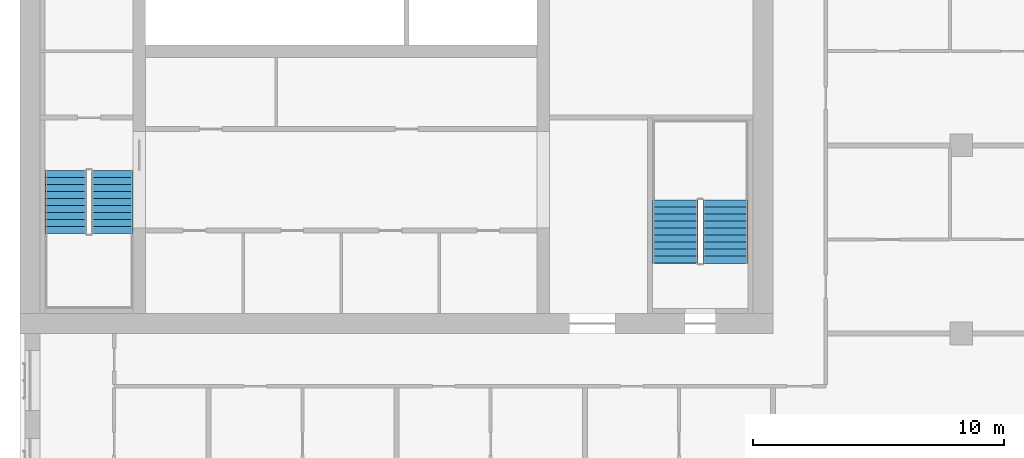
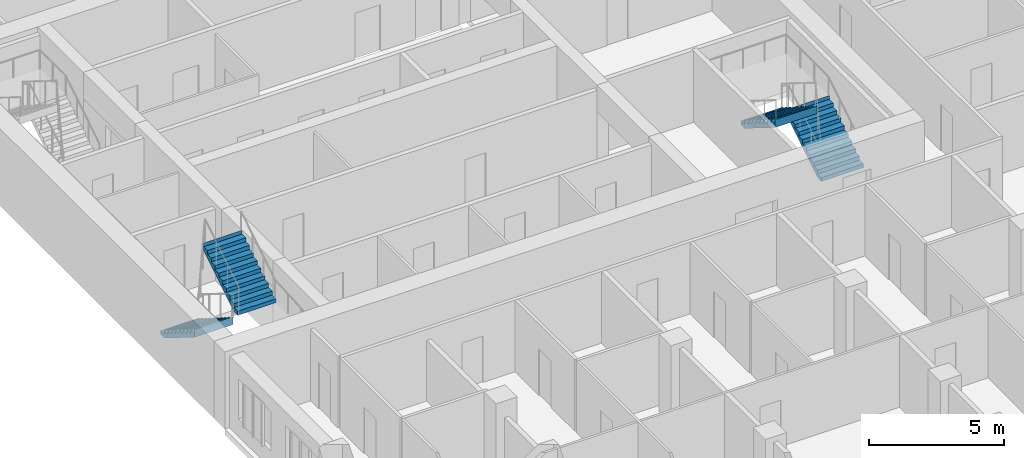
# One storey, part 12 of 14: 4 stair flights, 2 elements without a shape of their own.
"""IFC4 building model written with IfcOpenShell, lengths in metres."""

from ifc_helpers import new_model, si_unit, direction, frame, origin, place, context, subcontext, project, spatial, polyline, outline, extrude, material, type_object, element, aggregate, save


model = new_model("IFC4")

# Units and contexts
model_context = context("Model", 3, precision=1e-05, world=origin(), true_north=direction((0.0, 1.0)))
body_context = subcontext(model_context, "Body", "Model", "MODEL_VIEW")
ifc_project = project(units=[si_unit("LENGTHUNIT", "METRE"), si_unit("AREAUNIT", "SQUARE_METRE"), si_unit("VOLUMEUNIT", "CUBIC_METRE"), si_unit("PLANEANGLEUNIT", "RADIAN"), si_unit("MASSUNIT", "GRAM", prefix="KILO")], contexts=[model_context])

# Site, building, storey
site_placement = place(None, origin())
site = spatial("IfcSite", under=ifc_project, at=site_placement, CompositionType="ELEMENT")
building_placement = place(site_placement, origin())
building = spatial("IfcBuilding", under=site, at=building_placement, Name="Tamorin Gate", CompositionType="ELEMENT")
storey_placement = place(building_placement, frame((0.0, 0.0, 200.199951171875)))
storey = spatial("IfcBuildingStorey", under=building, at=storey_placement, Name="L49", CompositionType="ELEMENT", Elevation=200.199951171875)

# Stair, stair flights
ifc_material = material(Name="Concrete C40/50", Category="concrete")
stair_type = type_object("IfcStairType", Name="Exit stair", PredefinedType="HALF_TURN_STAIR", material=ifc_material)
stair_1_placement = place(storey_placement, origin())
stair_1 = element("IfcStair", 1, at=stair_1_placement, inside=storey, type_object=stair_type, Name="L49 stair ST1", PredefinedType="HALF_TURN_STAIR")
stair_flight_type = type_object("IfcStairFlightType", Name="Exit stair flight", PredefinedType="STRAIGHT", material=ifc_material)
stair_flight_1_placement = place(storey_placement, frame((31.824951171875, 66.5, 0.0), z_axis=(0.0, 0.0, 1.0), x_axis=(0.0, -1.0, 0.0)))
stair_flight_1 = element("IfcStairFlight", 2, at=stair_flight_1_placement, type_object=stair_flight_type, Name="ST1 flight 1", NumberOfRisers=10, NumberOfTreads=9, PredefinedType="STRAIGHT", RiserHeight=0.175, TreadLength=0.28, context=body_context, shape_type="SweptSolid", body=[
    extrude(outline(polyline([(-0.00048828125, 0.0), (-0.00048828125, 0.001708984375), (-0.00048828125, 0.00341796875), (-0.00048828125, 0.005126953125), (-0.00048828125, 0.0068359375), (-0.00048828125, 0.008544921875), (-0.00048828125, 0.010498046875), (-0.00048828125, 0.01220703125), (-0.00048828125, 0.013916015625), (-0.00048828125, 0.015625), (-0.00048828125, 0.017333984375), (-0.00048828125, 0.01904296875), (-0.00048828125, 0.020751953125), (-0.00048828125, 0.0224609375), (-0.00048828125, 0.024169921875), (-0.00048828125, 0.02587890625), (-0.00048828125, 0.02783203125), (-0.00048828125, 0.029541015625), (-0.00048828125, 0.03125), (-0.00048828125, 0.032958984375), (-0.00048828125, 0.03466796875), (-0.00048828125, 0.036376953125), (-0.00048828125, 0.0380859375), (-0.00048828125, 0.039794921875), (-0.00048828125, 0.04150390625), (-0.00048828125, 0.043212890625), (-0.00048828125, 0.045166015625), (-0.00048828125, 0.046875), (-0.00048828125, 0.048583984375), (-0.00048828125, 0.05029296875), (-0.00048828125, 0.052001953125), (-0.00048828125, 0.0537109375), (-0.00048828125, 0.055419921875), (-0.00048828125, 0.05712890625), (-0.00048828125, 0.058837890625), (-0.00048828125, 0.060546875), (-0.00048828125, 0.062255859375), (-0.00048828125, 0.064208984375), (-0.00048828125, 0.06591796875), (-0.00048828125, 0.067626953125), (-0.00048828125, 0.0693359375), (-0.00048828125, 0.071044921875), (-0.00048828125, 0.07275390625), (-0.00048828125, 0.074462890625), (-0.00048828125, 0.076171875), (-0.00048828125, 0.077880859375), (-0.00048828125, 0.07958984375), (-0.00048828125, 0.08154296875), (-0.00048828125, 0.083251953125), (-0.00048828125, 0.0849609375), (-0.00048828125, 0.086669921875), (-0.00048828125, 0.08837890625), (-0.00048828125, 0.090087890625), (-0.00048828125, 0.091796875), (-0.00048828125, 0.093505859375), (-0.00048828125, 0.09521484375), (-0.00048828125, 0.096923828125), (-0.00048828125, 0.098876953125), (-0.00048828125, 0.1005859375), (-0.00048828125, 0.102294921875), (-0.00048828125, 0.10400390625), (-0.00048828125, 0.105712890625), (-0.00048828125, 0.107421875), (-0.00048828125, 0.109130859375), (-0.00048828125, 0.11083984375), (-0.00048828125, 0.112548828125), (-0.00048828125, 0.1142578125), (-0.00048828125, 0.1162109375), (-0.00048828125, 0.117919921875), (-0.00048828125, 0.11962890625), (-0.00048828125, 0.121337890625), (-0.00048828125, 0.123046875), (-0.00048828125, 0.124755859375), (-0.00048828125, 0.12646484375), (-0.00048828125, 0.128173828125), (-0.00048828125, 0.1298828125), (-0.00048828125, 0.131591796875), (-0.00048828125, 0.13330078125), (-0.00048828125, 0.13525390625), (-0.00048828125, 0.136962890625), (-0.00048828125, 0.138671875), (-0.00048828125, 0.140380859375), (-0.00048828125, 0.14208984375), (-0.00048828125, 0.143798828125), (-0.00048828125, 0.1455078125), (-0.00048828125, 0.147216796875), (-0.00048828125, 0.14892578125), (-0.00048828125, 0.150634765625), (-0.00048828125, 0.152587890625), (-0.00048828125, 0.154296875), (-0.00048828125, 0.156005859375), (-0.00048828125, 0.15771484375), (-0.00048828125, 0.159423828125), (-0.00048828125, 0.1611328125), (-0.00048828125, 0.162841796875), (-0.00048828125, 0.16455078125), (-0.00048828125, 0.166259765625), (-0.00048828125, 0.16796875), (-0.00048828125, 0.169921875), (-0.00048828125, 0.171630859375), (-0.00048828125, 0.17333984375), (-0.00048828125, 0.175048828125), (0.280029296875, 0.175048828125), (0.280029296875, 0.35009765625), (0.56005859375, 0.35009765625), (0.56005859375, 0.52490234375), (0.840087890625, 0.52490234375), (0.840087890625, 0.699951171875), (1.1201171875, 0.699951171875), (1.1201171875, 0.875), (1.39990234375, 0.875), (1.39990234375, 1.050048828125), (1.679931640625, 1.050048828125), (1.679931640625, 1.22509765625), (1.9599609375, 1.22509765625), (1.9599609375, 1.39990234375), (2.239990234375, 1.39990234375), (2.239990234375, 1.574951171875), (2.52001953125, 1.574951171875), (2.52001953125, 1.75), (2.5205078125, 1.75), (2.5205078125, 1.74658203125), (2.5205078125, 1.742919921875), (2.5205078125, 1.739501953125), (2.5205078125, 1.736083984375), (2.5205078125, 1.732666015625), (2.5205078125, 1.72900390625), (2.5205078125, 1.7255859375), (2.5205078125, 1.72216796875), (2.5205078125, 1.71875), (2.5205078125, 1.715087890625), (2.5205078125, 1.711669921875), (2.5205078125, 1.708251953125), (2.5205078125, 1.704833984375), (2.5205078125, 1.701171875), (2.5205078125, 1.69775390625), (2.5205078125, 1.6943359375), (2.5205078125, 1.690673828125), (2.5205078125, 1.687255859375), (2.5205078125, 1.683837890625), (2.5205078125, 1.680419921875), (2.5205078125, 1.6767578125), (2.5205078125, 1.67333984375), (2.5205078125, 1.669921875), (2.5205078125, 1.66650390625), (2.5205078125, 1.662841796875), (2.5205078125, 1.659423828125), (2.5205078125, 1.656005859375), (2.5205078125, 1.652587890625), (2.5205078125, 1.64892578125), (2.5205078125, 1.6455078125), (2.5205078125, 1.64208984375), (2.5205078125, 1.638427734375), (2.5205078125, 1.635009765625), (2.5205078125, 1.631591796875), (2.5205078125, 1.628173828125), (2.5205078125, 1.62451171875), (2.5205078125, 1.62109375), (2.5205078125, 1.61767578125), (2.5205078125, 1.6142578125), (2.5205078125, 1.610595703125), (2.5205078125, 1.607177734375), (2.5205078125, 1.603759765625), (2.5205078125, 1.600341796875), (2.5205078125, 1.5966796875), (2.5205078125, 1.59326171875), (2.5205078125, 1.58984375), (2.5205078125, 1.58642578125), (2.5205078125, 1.582763671875), (2.5205078125, 1.579345703125), (2.5205078125, 1.575927734375), (2.5205078125, 1.572265625), (2.5205078125, 1.56884765625), (2.5205078125, 1.5654296875), (2.5205078125, 1.56201171875), (2.5205078125, 1.558349609375), (2.5205078125, 1.554931640625), (2.5205078125, 1.551513671875), (2.5205078125, 1.548095703125), (2.5205078125, 1.54443359375), (2.5205078125, 1.541015625), (2.5205078125, 1.53759765625), (2.5205078125, 1.5341796875), (2.5205078125, 1.530517578125), (2.5205078125, 1.527099609375), (2.5205078125, 1.523681640625), (2.5205078125, 1.52001953125), (2.5205078125, 1.5166015625), (2.5205078125, 1.51318359375), (2.5205078125, 1.509765625), (2.5205078125, 1.506103515625), (2.5205078125, 1.502685546875), (2.5205078125, 1.499267578125), (2.5205078125, 1.495849609375), (2.5205078125, 1.4921875), (2.5205078125, 1.48876953125), (2.5205078125, 1.4853515625), (2.5205078125, 1.48193359375), (2.5205078125, 1.478271484375), (2.5205078125, 1.474853515625), (2.5205078125, 1.471435546875), (2.5205078125, 1.4677734375), (2.5205078125, 1.46435546875), (2.5205078125, 1.4609375), (2.5205078125, 1.45751953125), (2.5205078125, 1.453857421875), (2.5205078125, 1.450439453125), (2.5205078125, 1.447021484375), (2.5205078125, 1.443603515625), (2.5205078125, 1.43994140625), (2.5205078125, 1.4365234375), (2.5205078125, 1.43310546875), (2.5205078125, 1.4296875), (2.5205078125, 1.426025390625), (2.5205078125, 1.422607421875), (2.5205078125, 1.419189453125), (2.5205078125, 1.41552734375), (2.5205078125, 1.412109375), (2.5205078125, 1.40869140625), (2.5205078125, 1.4052734375), (2.5205078125, 1.401611328125), (2.5205078125, 1.398193359375), (2.52001953125, 1.398193359375), (0.28271484375, 0.0), (-0.00048828125, 0.0)])), frame((0.0, 0.824951171875, 0.0), z_axis=(0.0, -1.0, 0.0), x_axis=(1.0, 0.0, 0.0)), (0.0, 0.0, 1.0), 1.64990234375),
])
stair_flight_2_placement = place(storey_placement, frame((33.675048828125, 63.97998046875, 1.75), z_axis=(0.0, 0.0, 1.0), x_axis=(0.0, 1.0, 0.0)))
stair_flight_2 = element("IfcStairFlight", 3, at=stair_flight_2_placement, type_object=stair_flight_type, Name="ST1 flight 2", NumberOfRisers=10, NumberOfTreads=9, PredefinedType="STRAIGHT", RiserHeight=0.175, TreadLength=0.28, context=body_context, shape_type="SweptSolid", body=[
    extrude(outline(polyline([(-0.00048828125, 0.0), (-0.00048828125, 0.001708984375), (-0.00048828125, 0.00341796875), (-0.00048828125, 0.005126953125), (-0.00048828125, 0.0068359375), (-0.00048828125, 0.008544921875), (-0.00048828125, 0.010498046875), (-0.00048828125, 0.01220703125), (-0.00048828125, 0.013916015625), (-0.00048828125, 0.015625), (-0.00048828125, 0.017333984375), (-0.00048828125, 0.01904296875), (-0.00048828125, 0.020751953125), (-0.00048828125, 0.0224609375), (-0.00048828125, 0.024169921875), (-0.00048828125, 0.02587890625), (-0.00048828125, 0.02783203125), (-0.00048828125, 0.029541015625), (-0.00048828125, 0.03125), (-0.00048828125, 0.032958984375), (-0.00048828125, 0.03466796875), (-0.00048828125, 0.036376953125), (-0.00048828125, 0.0380859375), (-0.00048828125, 0.039794921875), (-0.00048828125, 0.04150390625), (-0.00048828125, 0.043212890625), (-0.00048828125, 0.045166015625), (-0.00048828125, 0.046875), (-0.00048828125, 0.048583984375), (-0.00048828125, 0.05029296875), (-0.00048828125, 0.052001953125), (-0.00048828125, 0.0537109375), (-0.00048828125, 0.055419921875), (-0.00048828125, 0.05712890625), (-0.00048828125, 0.058837890625), (-0.00048828125, 0.060546875), (-0.00048828125, 0.062255859375), (-0.00048828125, 0.064208984375), (-0.00048828125, 0.06591796875), (-0.00048828125, 0.067626953125), (-0.00048828125, 0.0693359375), (-0.00048828125, 0.071044921875), (-0.00048828125, 0.07275390625), (-0.00048828125, 0.074462890625), (-0.00048828125, 0.076171875), (-0.00048828125, 0.077880859375), (-0.00048828125, 0.07958984375), (-0.00048828125, 0.08154296875), (-0.00048828125, 0.083251953125), (-0.00048828125, 0.0849609375), (-0.00048828125, 0.086669921875), (-0.00048828125, 0.08837890625), (-0.00048828125, 0.090087890625), (-0.00048828125, 0.091796875), (-0.00048828125, 0.093505859375), (-0.00048828125, 0.09521484375), (-0.00048828125, 0.096923828125), (-0.00048828125, 0.098876953125), (-0.00048828125, 0.1005859375), (-0.00048828125, 0.102294921875), (-0.00048828125, 0.10400390625), (-0.00048828125, 0.105712890625), (-0.00048828125, 0.107421875), (-0.00048828125, 0.109130859375), (-0.00048828125, 0.11083984375), (-0.00048828125, 0.112548828125), (-0.00048828125, 0.1142578125), (-0.00048828125, 0.1162109375), (-0.00048828125, 0.117919921875), (-0.00048828125, 0.11962890625), (-0.00048828125, 0.121337890625), (-0.00048828125, 0.123046875), (-0.00048828125, 0.124755859375), (-0.00048828125, 0.12646484375), (-0.00048828125, 0.128173828125), (-0.00048828125, 0.1298828125), (-0.00048828125, 0.131591796875), (-0.00048828125, 0.13330078125), (-0.00048828125, 0.13525390625), (-0.00048828125, 0.136962890625), (-0.00048828125, 0.138671875), (-0.00048828125, 0.140380859375), (-0.00048828125, 0.14208984375), (-0.00048828125, 0.143798828125), (-0.00048828125, 0.1455078125), (-0.00048828125, 0.147216796875), (-0.00048828125, 0.14892578125), (-0.00048828125, 0.150634765625), (-0.00048828125, 0.152587890625), (-0.00048828125, 0.154296875), (-0.00048828125, 0.156005859375), (-0.00048828125, 0.15771484375), (-0.00048828125, 0.159423828125), (-0.00048828125, 0.1611328125), (-0.00048828125, 0.162841796875), (-0.00048828125, 0.16455078125), (-0.00048828125, 0.166259765625), (-0.00048828125, 0.16796875), (-0.00048828125, 0.169921875), (-0.00048828125, 0.171630859375), (-0.00048828125, 0.17333984375), (-0.00048828125, 0.175048828125), (0.280029296875, 0.175048828125), (0.280029296875, 0.35009765625), (0.56005859375, 0.35009765625), (0.56005859375, 0.52490234375), (0.840087890625, 0.52490234375), (0.840087890625, 0.699951171875), (1.1201171875, 0.699951171875), (1.1201171875, 0.875), (1.39990234375, 0.875), (1.39990234375, 1.050048828125), (1.679931640625, 1.050048828125), (1.679931640625, 1.22509765625), (1.9599609375, 1.22509765625), (1.9599609375, 1.39990234375), (2.239990234375, 1.39990234375), (2.239990234375, 1.574951171875), (2.52001953125, 1.574951171875), (2.52001953125, 1.75), (2.5205078125, 1.75), (2.5205078125, 1.74658203125), (2.5205078125, 1.742919921875), (2.5205078125, 1.739501953125), (2.5205078125, 1.736083984375), (2.5205078125, 1.732666015625), (2.5205078125, 1.72900390625), (2.5205078125, 1.7255859375), (2.5205078125, 1.72216796875), (2.5205078125, 1.71875), (2.5205078125, 1.715087890625), (2.5205078125, 1.711669921875), (2.5205078125, 1.708251953125), (2.5205078125, 1.704833984375), (2.5205078125, 1.701171875), (2.5205078125, 1.69775390625), (2.5205078125, 1.6943359375), (2.5205078125, 1.690673828125), (2.5205078125, 1.687255859375), (2.5205078125, 1.683837890625), (2.5205078125, 1.680419921875), (2.5205078125, 1.6767578125), (2.5205078125, 1.67333984375), (2.5205078125, 1.669921875), (2.5205078125, 1.66650390625), (2.5205078125, 1.662841796875), (2.5205078125, 1.659423828125), (2.5205078125, 1.656005859375), (2.5205078125, 1.652587890625), (2.5205078125, 1.64892578125), (2.5205078125, 1.6455078125), (2.5205078125, 1.64208984375), (2.5205078125, 1.638427734375), (2.5205078125, 1.635009765625), (2.5205078125, 1.631591796875), (2.5205078125, 1.628173828125), (2.5205078125, 1.62451171875), (2.5205078125, 1.62109375), (2.5205078125, 1.61767578125), (2.5205078125, 1.6142578125), (2.5205078125, 1.610595703125), (2.5205078125, 1.607177734375), (2.5205078125, 1.603759765625), (2.5205078125, 1.600341796875), (2.5205078125, 1.5966796875), (2.5205078125, 1.59326171875), (2.5205078125, 1.58984375), (2.5205078125, 1.58642578125), (2.5205078125, 1.582763671875), (2.5205078125, 1.579345703125), (2.5205078125, 1.575927734375), (2.5205078125, 1.572265625), (2.5205078125, 1.56884765625), (2.5205078125, 1.5654296875), (2.5205078125, 1.56201171875), (2.5205078125, 1.558349609375), (2.5205078125, 1.554931640625), (2.5205078125, 1.551513671875), (2.5205078125, 1.548095703125), (2.5205078125, 1.54443359375), (2.5205078125, 1.541015625), (2.5205078125, 1.53759765625), (2.5205078125, 1.5341796875), (2.5205078125, 1.530517578125), (2.5205078125, 1.527099609375), (2.5205078125, 1.523681640625), (2.5205078125, 1.52001953125), (2.5205078125, 1.5166015625), (2.5205078125, 1.51318359375), (2.5205078125, 1.509765625), (2.5205078125, 1.506103515625), (2.5205078125, 1.502685546875), (2.5205078125, 1.499267578125), (2.5205078125, 1.495849609375), (2.5205078125, 1.4921875), (2.5205078125, 1.48876953125), (2.5205078125, 1.4853515625), (2.5205078125, 1.48193359375), (2.5205078125, 1.478271484375), (2.5205078125, 1.474853515625), (2.5205078125, 1.471435546875), (2.5205078125, 1.4677734375), (2.5205078125, 1.46435546875), (2.5205078125, 1.4609375), (2.5205078125, 1.45751953125), (2.5205078125, 1.453857421875), (2.5205078125, 1.450439453125), (2.5205078125, 1.447021484375), (2.5205078125, 1.443603515625), (2.5205078125, 1.43994140625), (2.5205078125, 1.4365234375), (2.5205078125, 1.43310546875), (2.5205078125, 1.4296875), (2.5205078125, 1.426025390625), (2.5205078125, 1.422607421875), (2.5205078125, 1.419189453125), (2.5205078125, 1.41552734375), (2.5205078125, 1.412109375), (2.5205078125, 1.40869140625), (2.5205078125, 1.4052734375), (2.5205078125, 1.401611328125), (2.5205078125, 1.398193359375), (2.52001953125, 1.398193359375), (0.28271484375, 0.0), (-0.00048828125, 0.0)])), frame((0.0, 0.824951171875, 0.0), z_axis=(0.0, -1.0, 0.0), x_axis=(1.0, 0.0, 0.0)), (0.0, 0.0, 1.0), 1.64990234375),
])
aggregate(stair_1, [stair_flight_1, stair_flight_2])

stair_2_placement = place(storey_placement, origin())
stair_2 = element("IfcStair", 4, at=stair_2_placement, inside=storey, type_object=stair_type, Name="L49 stair ST3", PredefinedType="HALF_TURN_STAIR")
stair_flight_3_placement = place(storey_placement, frame((58.10009765625, 62.800048828125, 0.0), z_axis=(0.0, 0.0, 1.0), x_axis=(0.0, 1.0, 0.0)))
stair_flight_3 = element("IfcStairFlight", 5, at=stair_flight_3_placement, type_object=stair_flight_type, Name="ST3 flight 1", NumberOfRisers=10, NumberOfTreads=9, PredefinedType="STRAIGHT", RiserHeight=0.175, TreadLength=0.28, context=body_context, shape_type="SweptSolid", body=[
    extrude(outline(polyline([(-0.00048828125, 0.0), (-0.00048828125, 0.001708984375), (-0.00048828125, 0.00341796875), (-0.00048828125, 0.005126953125), (-0.00048828125, 0.0068359375), (-0.00048828125, 0.008544921875), (-0.00048828125, 0.010498046875), (-0.00048828125, 0.01220703125), (-0.00048828125, 0.013916015625), (-0.00048828125, 0.015625), (-0.00048828125, 0.017333984375), (-0.00048828125, 0.01904296875), (-0.00048828125, 0.020751953125), (-0.00048828125, 0.0224609375), (-0.00048828125, 0.024169921875), (-0.00048828125, 0.02587890625), (-0.00048828125, 0.02783203125), (-0.00048828125, 0.029541015625), (-0.00048828125, 0.03125), (-0.00048828125, 0.032958984375), (-0.00048828125, 0.03466796875), (-0.00048828125, 0.036376953125), (-0.00048828125, 0.0380859375), (-0.00048828125, 0.039794921875), (-0.00048828125, 0.04150390625), (-0.00048828125, 0.043212890625), (-0.00048828125, 0.045166015625), (-0.00048828125, 0.046875), (-0.00048828125, 0.048583984375), (-0.00048828125, 0.05029296875), (-0.00048828125, 0.052001953125), (-0.00048828125, 0.0537109375), (-0.00048828125, 0.055419921875), (-0.00048828125, 0.05712890625), (-0.00048828125, 0.058837890625), (-0.00048828125, 0.060546875), (-0.00048828125, 0.062255859375), (-0.00048828125, 0.064208984375), (-0.00048828125, 0.06591796875), (-0.00048828125, 0.067626953125), (-0.00048828125, 0.0693359375), (-0.00048828125, 0.071044921875), (-0.00048828125, 0.07275390625), (-0.00048828125, 0.074462890625), (-0.00048828125, 0.076171875), (-0.00048828125, 0.077880859375), (-0.00048828125, 0.07958984375), (-0.00048828125, 0.08154296875), (-0.00048828125, 0.083251953125), (-0.00048828125, 0.0849609375), (-0.00048828125, 0.086669921875), (-0.00048828125, 0.08837890625), (-0.00048828125, 0.090087890625), (-0.00048828125, 0.091796875), (-0.00048828125, 0.093505859375), (-0.00048828125, 0.09521484375), (-0.00048828125, 0.096923828125), (-0.00048828125, 0.098876953125), (-0.00048828125, 0.1005859375), (-0.00048828125, 0.102294921875), (-0.00048828125, 0.10400390625), (-0.00048828125, 0.105712890625), (-0.00048828125, 0.107421875), (-0.00048828125, 0.109130859375), (-0.00048828125, 0.11083984375), (-0.00048828125, 0.112548828125), (-0.00048828125, 0.1142578125), (-0.00048828125, 0.1162109375), (-0.00048828125, 0.117919921875), (-0.00048828125, 0.11962890625), (-0.00048828125, 0.121337890625), (-0.00048828125, 0.123046875), (-0.00048828125, 0.124755859375), (-0.00048828125, 0.12646484375), (-0.00048828125, 0.128173828125), (-0.00048828125, 0.1298828125), (-0.00048828125, 0.131591796875), (-0.00048828125, 0.13330078125), (-0.00048828125, 0.13525390625), (-0.00048828125, 0.136962890625), (-0.00048828125, 0.138671875), (-0.00048828125, 0.140380859375), (-0.00048828125, 0.14208984375), (-0.00048828125, 0.143798828125), (-0.00048828125, 0.1455078125), (-0.00048828125, 0.147216796875), (-0.00048828125, 0.14892578125), (-0.00048828125, 0.150634765625), (-0.00048828125, 0.152587890625), (-0.00048828125, 0.154296875), (-0.00048828125, 0.156005859375), (-0.00048828125, 0.15771484375), (-0.00048828125, 0.159423828125), (-0.00048828125, 0.1611328125), (-0.00048828125, 0.162841796875), (-0.00048828125, 0.16455078125), (-0.00048828125, 0.166259765625), (-0.00048828125, 0.16796875), (-0.00048828125, 0.169921875), (-0.00048828125, 0.171630859375), (-0.00048828125, 0.17333984375), (-0.00048828125, 0.175048828125), (0.280029296875, 0.175048828125), (0.280029296875, 0.35009765625), (0.56005859375, 0.35009765625), (0.56005859375, 0.52490234375), (0.840087890625, 0.52490234375), (0.840087890625, 0.699951171875), (1.1201171875, 0.699951171875), (1.1201171875, 0.875), (1.39990234375, 0.875), (1.39990234375, 1.050048828125), (1.679931640625, 1.050048828125), (1.679931640625, 1.22509765625), (1.9599609375, 1.22509765625), (1.9599609375, 1.39990234375), (2.239990234375, 1.39990234375), (2.239990234375, 1.574951171875), (2.52001953125, 1.574951171875), (2.52001953125, 1.75), (2.5205078125, 1.75), (2.5205078125, 1.74658203125), (2.5205078125, 1.742919921875), (2.5205078125, 1.739501953125), (2.5205078125, 1.736083984375), (2.5205078125, 1.732666015625), (2.5205078125, 1.72900390625), (2.5205078125, 1.7255859375), (2.5205078125, 1.72216796875), (2.5205078125, 1.71875), (2.5205078125, 1.715087890625), (2.5205078125, 1.711669921875), (2.5205078125, 1.708251953125), (2.5205078125, 1.704833984375), (2.5205078125, 1.701171875), (2.5205078125, 1.69775390625), (2.5205078125, 1.6943359375), (2.5205078125, 1.690673828125), (2.5205078125, 1.687255859375), (2.5205078125, 1.683837890625), (2.5205078125, 1.680419921875), (2.5205078125, 1.6767578125), (2.5205078125, 1.67333984375), (2.5205078125, 1.669921875), (2.5205078125, 1.66650390625), (2.5205078125, 1.662841796875), (2.5205078125, 1.659423828125), (2.5205078125, 1.656005859375), (2.5205078125, 1.652587890625), (2.5205078125, 1.64892578125), (2.5205078125, 1.6455078125), (2.5205078125, 1.64208984375), (2.5205078125, 1.638427734375), (2.5205078125, 1.635009765625), (2.5205078125, 1.631591796875), (2.5205078125, 1.628173828125), (2.5205078125, 1.62451171875), (2.5205078125, 1.62109375), (2.5205078125, 1.61767578125), (2.5205078125, 1.6142578125), (2.5205078125, 1.610595703125), (2.5205078125, 1.607177734375), (2.5205078125, 1.603759765625), (2.5205078125, 1.600341796875), (2.5205078125, 1.5966796875), (2.5205078125, 1.59326171875), (2.5205078125, 1.58984375), (2.5205078125, 1.58642578125), (2.5205078125, 1.582763671875), (2.5205078125, 1.579345703125), (2.5205078125, 1.575927734375), (2.5205078125, 1.572265625), (2.5205078125, 1.56884765625), (2.5205078125, 1.5654296875), (2.5205078125, 1.56201171875), (2.5205078125, 1.558349609375), (2.5205078125, 1.554931640625), (2.5205078125, 1.551513671875), (2.5205078125, 1.548095703125), (2.5205078125, 1.54443359375), (2.5205078125, 1.541015625), (2.5205078125, 1.53759765625), (2.5205078125, 1.5341796875), (2.5205078125, 1.530517578125), (2.5205078125, 1.527099609375), (2.5205078125, 1.523681640625), (2.5205078125, 1.52001953125), (2.5205078125, 1.5166015625), (2.5205078125, 1.51318359375), (2.5205078125, 1.509765625), (2.5205078125, 1.506103515625), (2.5205078125, 1.502685546875), (2.5205078125, 1.499267578125), (2.5205078125, 1.495849609375), (2.5205078125, 1.4921875), (2.5205078125, 1.48876953125), (2.5205078125, 1.4853515625), (2.5205078125, 1.48193359375), (2.5205078125, 1.478271484375), (2.5205078125, 1.474853515625), (2.5205078125, 1.471435546875), (2.5205078125, 1.4677734375), (2.5205078125, 1.46435546875), (2.5205078125, 1.4609375), (2.5205078125, 1.45751953125), (2.5205078125, 1.453857421875), (2.5205078125, 1.450439453125), (2.5205078125, 1.447021484375), (2.5205078125, 1.443603515625), (2.5205078125, 1.43994140625), (2.5205078125, 1.4365234375), (2.5205078125, 1.43310546875), (2.5205078125, 1.4296875), (2.5205078125, 1.426025390625), (2.5205078125, 1.422607421875), (2.5205078125, 1.419189453125), (2.5205078125, 1.41552734375), (2.5205078125, 1.412109375), (2.5205078125, 1.40869140625), (2.5205078125, 1.4052734375), (2.5205078125, 1.401611328125), (2.5205078125, 1.398193359375), (2.52001953125, 1.398193359375), (0.28271484375, 0.0), (-0.00048828125, 0.0)])), frame((0.0, 0.89990234375, 0.0), z_axis=(0.0, -1.0, 0.0), x_axis=(1.0, 0.0, 0.0)), (0.0, 0.0, 1.0), 1.800048828125),
])
stair_flight_4_placement = place(storey_placement, frame((56.10009765625, 65.320068359375, 1.75), z_axis=(0.0, 0.0, 1.0), x_axis=(0.0, -1.0, 0.0)))
stair_flight_4 = element("IfcStairFlight", 6, at=stair_flight_4_placement, type_object=stair_flight_type, Name="ST3 flight 2", NumberOfRisers=10, NumberOfTreads=9, PredefinedType="STRAIGHT", RiserHeight=0.175, TreadLength=0.28, context=body_context, shape_type="SweptSolid", body=[
    extrude(outline(polyline([(-0.00048828125, 0.0), (-0.00048828125, 0.001708984375), (-0.00048828125, 0.00341796875), (-0.00048828125, 0.005126953125), (-0.00048828125, 0.0068359375), (-0.00048828125, 0.008544921875), (-0.00048828125, 0.010498046875), (-0.00048828125, 0.01220703125), (-0.00048828125, 0.013916015625), (-0.00048828125, 0.015625), (-0.00048828125, 0.017333984375), (-0.00048828125, 0.01904296875), (-0.00048828125, 0.020751953125), (-0.00048828125, 0.0224609375), (-0.00048828125, 0.024169921875), (-0.00048828125, 0.02587890625), (-0.00048828125, 0.02783203125), (-0.00048828125, 0.029541015625), (-0.00048828125, 0.03125), (-0.00048828125, 0.032958984375), (-0.00048828125, 0.03466796875), (-0.00048828125, 0.036376953125), (-0.00048828125, 0.0380859375), (-0.00048828125, 0.039794921875), (-0.00048828125, 0.04150390625), (-0.00048828125, 0.043212890625), (-0.00048828125, 0.045166015625), (-0.00048828125, 0.046875), (-0.00048828125, 0.048583984375), (-0.00048828125, 0.05029296875), (-0.00048828125, 0.052001953125), (-0.00048828125, 0.0537109375), (-0.00048828125, 0.055419921875), (-0.00048828125, 0.05712890625), (-0.00048828125, 0.058837890625), (-0.00048828125, 0.060546875), (-0.00048828125, 0.062255859375), (-0.00048828125, 0.064208984375), (-0.00048828125, 0.06591796875), (-0.00048828125, 0.067626953125), (-0.00048828125, 0.0693359375), (-0.00048828125, 0.071044921875), (-0.00048828125, 0.07275390625), (-0.00048828125, 0.074462890625), (-0.00048828125, 0.076171875), (-0.00048828125, 0.077880859375), (-0.00048828125, 0.07958984375), (-0.00048828125, 0.08154296875), (-0.00048828125, 0.083251953125), (-0.00048828125, 0.0849609375), (-0.00048828125, 0.086669921875), (-0.00048828125, 0.08837890625), (-0.00048828125, 0.090087890625), (-0.00048828125, 0.091796875), (-0.00048828125, 0.093505859375), (-0.00048828125, 0.09521484375), (-0.00048828125, 0.096923828125), (-0.00048828125, 0.098876953125), (-0.00048828125, 0.1005859375), (-0.00048828125, 0.102294921875), (-0.00048828125, 0.10400390625), (-0.00048828125, 0.105712890625), (-0.00048828125, 0.107421875), (-0.00048828125, 0.109130859375), (-0.00048828125, 0.11083984375), (-0.00048828125, 0.112548828125), (-0.00048828125, 0.1142578125), (-0.00048828125, 0.1162109375), (-0.00048828125, 0.117919921875), (-0.00048828125, 0.11962890625), (-0.00048828125, 0.121337890625), (-0.00048828125, 0.123046875), (-0.00048828125, 0.124755859375), (-0.00048828125, 0.12646484375), (-0.00048828125, 0.128173828125), (-0.00048828125, 0.1298828125), (-0.00048828125, 0.131591796875), (-0.00048828125, 0.13330078125), (-0.00048828125, 0.13525390625), (-0.00048828125, 0.136962890625), (-0.00048828125, 0.138671875), (-0.00048828125, 0.140380859375), (-0.00048828125, 0.14208984375), (-0.00048828125, 0.143798828125), (-0.00048828125, 0.1455078125), (-0.00048828125, 0.147216796875), (-0.00048828125, 0.14892578125), (-0.00048828125, 0.150634765625), (-0.00048828125, 0.152587890625), (-0.00048828125, 0.154296875), (-0.00048828125, 0.156005859375), (-0.00048828125, 0.15771484375), (-0.00048828125, 0.159423828125), (-0.00048828125, 0.1611328125), (-0.00048828125, 0.162841796875), (-0.00048828125, 0.16455078125), (-0.00048828125, 0.166259765625), (-0.00048828125, 0.16796875), (-0.00048828125, 0.169921875), (-0.00048828125, 0.171630859375), (-0.00048828125, 0.17333984375), (-0.00048828125, 0.175048828125), (0.280029296875, 0.175048828125), (0.280029296875, 0.35009765625), (0.56005859375, 0.35009765625), (0.56005859375, 0.52490234375), (0.840087890625, 0.52490234375), (0.840087890625, 0.699951171875), (1.1201171875, 0.699951171875), (1.1201171875, 0.875), (1.39990234375, 0.875), (1.39990234375, 1.050048828125), (1.679931640625, 1.050048828125), (1.679931640625, 1.22509765625), (1.9599609375, 1.22509765625), (1.9599609375, 1.39990234375), (2.239990234375, 1.39990234375), (2.239990234375, 1.574951171875), (2.52001953125, 1.574951171875), (2.52001953125, 1.75), (2.5205078125, 1.75), (2.5205078125, 1.74658203125), (2.5205078125, 1.742919921875), (2.5205078125, 1.739501953125), (2.5205078125, 1.736083984375), (2.5205078125, 1.732666015625), (2.5205078125, 1.72900390625), (2.5205078125, 1.7255859375), (2.5205078125, 1.72216796875), (2.5205078125, 1.71875), (2.5205078125, 1.715087890625), (2.5205078125, 1.711669921875), (2.5205078125, 1.708251953125), (2.5205078125, 1.704833984375), (2.5205078125, 1.701171875), (2.5205078125, 1.69775390625), (2.5205078125, 1.6943359375), (2.5205078125, 1.690673828125), (2.5205078125, 1.687255859375), (2.5205078125, 1.683837890625), (2.5205078125, 1.680419921875), (2.5205078125, 1.6767578125), (2.5205078125, 1.67333984375), (2.5205078125, 1.669921875), (2.5205078125, 1.66650390625), (2.5205078125, 1.662841796875), (2.5205078125, 1.659423828125), (2.5205078125, 1.656005859375), (2.5205078125, 1.652587890625), (2.5205078125, 1.64892578125), (2.5205078125, 1.6455078125), (2.5205078125, 1.64208984375), (2.5205078125, 1.638427734375), (2.5205078125, 1.635009765625), (2.5205078125, 1.631591796875), (2.5205078125, 1.628173828125), (2.5205078125, 1.62451171875), (2.5205078125, 1.62109375), (2.5205078125, 1.61767578125), (2.5205078125, 1.6142578125), (2.5205078125, 1.610595703125), (2.5205078125, 1.607177734375), (2.5205078125, 1.603759765625), (2.5205078125, 1.600341796875), (2.5205078125, 1.5966796875), (2.5205078125, 1.59326171875), (2.5205078125, 1.58984375), (2.5205078125, 1.58642578125), (2.5205078125, 1.582763671875), (2.5205078125, 1.579345703125), (2.5205078125, 1.575927734375), (2.5205078125, 1.572265625), (2.5205078125, 1.56884765625), (2.5205078125, 1.5654296875), (2.5205078125, 1.56201171875), (2.5205078125, 1.558349609375), (2.5205078125, 1.554931640625), (2.5205078125, 1.551513671875), (2.5205078125, 1.548095703125), (2.5205078125, 1.54443359375), (2.5205078125, 1.541015625), (2.5205078125, 1.53759765625), (2.5205078125, 1.5341796875), (2.5205078125, 1.530517578125), (2.5205078125, 1.527099609375), (2.5205078125, 1.523681640625), (2.5205078125, 1.52001953125), (2.5205078125, 1.5166015625), (2.5205078125, 1.51318359375), (2.5205078125, 1.509765625), (2.5205078125, 1.506103515625), (2.5205078125, 1.502685546875), (2.5205078125, 1.499267578125), (2.5205078125, 1.495849609375), (2.5205078125, 1.4921875), (2.5205078125, 1.48876953125), (2.5205078125, 1.4853515625), (2.5205078125, 1.48193359375), (2.5205078125, 1.478271484375), (2.5205078125, 1.474853515625), (2.5205078125, 1.471435546875), (2.5205078125, 1.4677734375), (2.5205078125, 1.46435546875), (2.5205078125, 1.4609375), (2.5205078125, 1.45751953125), (2.5205078125, 1.453857421875), (2.5205078125, 1.450439453125), (2.5205078125, 1.447021484375), (2.5205078125, 1.443603515625), (2.5205078125, 1.43994140625), (2.5205078125, 1.4365234375), (2.5205078125, 1.43310546875), (2.5205078125, 1.4296875), (2.5205078125, 1.426025390625), (2.5205078125, 1.422607421875), (2.5205078125, 1.419189453125), (2.5205078125, 1.41552734375), (2.5205078125, 1.412109375), (2.5205078125, 1.40869140625), (2.5205078125, 1.4052734375), (2.5205078125, 1.401611328125), (2.5205078125, 1.398193359375), (2.52001953125, 1.398193359375), (0.28271484375, 0.0), (-0.00048828125, 0.0)])), frame((0.0, 0.89990234375, 0.0), z_axis=(0.0, -1.0, 0.0), x_axis=(1.0, 0.0, 0.0)), (0.0, 0.0, 1.0), 1.800048828125),
])
aggregate(stair_2, [stair_flight_3, stair_flight_4])

save(model, "model.ifc")
